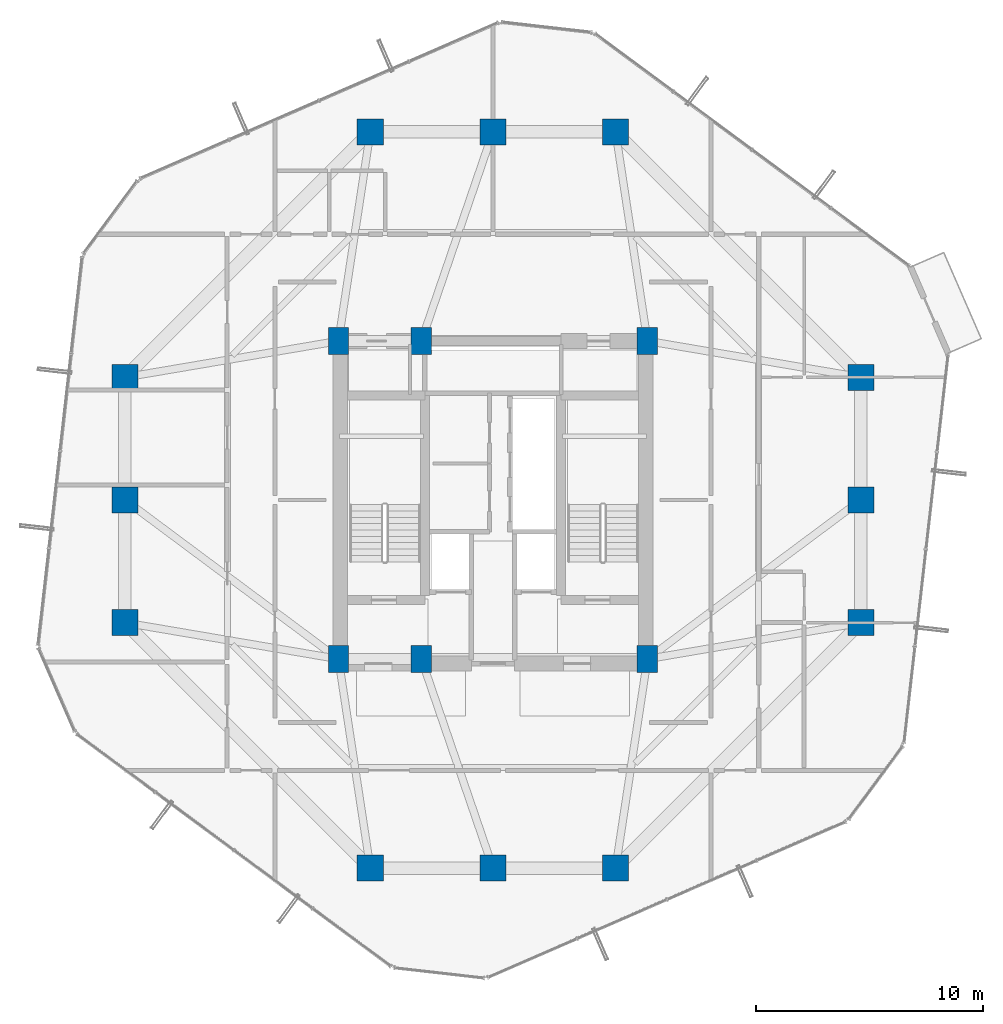
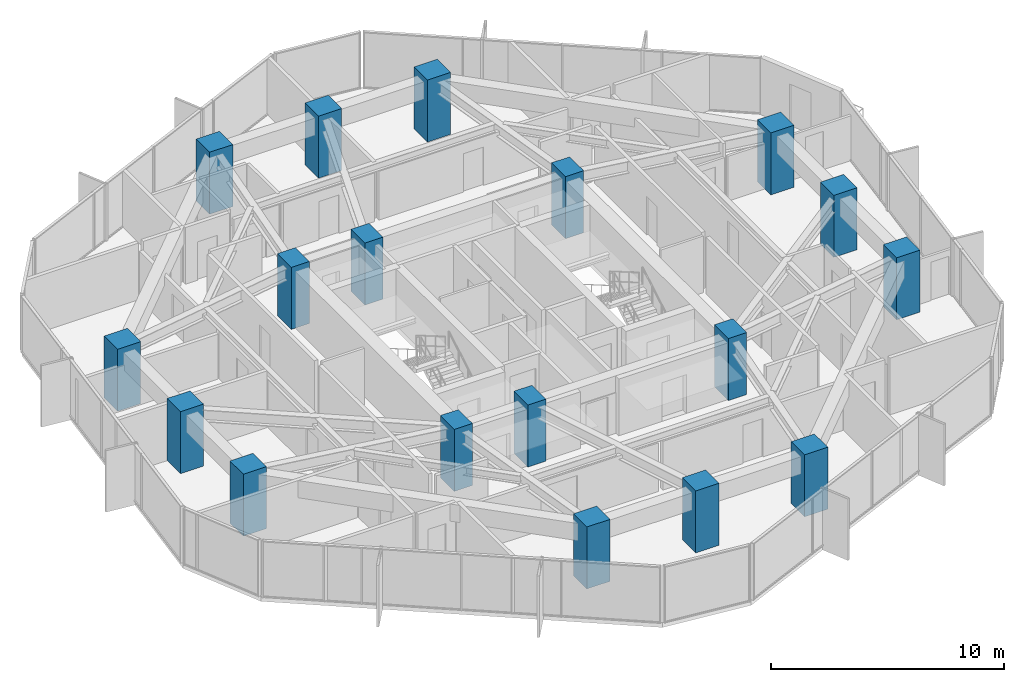
# One storey, part 1 of 29: 18 columns.
"""IFC4 building model written with IfcOpenShell, lengths in metres."""

import ifcopenshell
import ifcopenshell.guid

model = None  # the IFC model being written
_history = None  # IfcOwnerHistory: only IFC2X3 demands one
_inside = {}  # id of a spatial element -> (the spatial element, [elements in it])
_under = {}  # id of a project, library or spatial element -> (it, [spatial elements below it])
_declared = {}  # id of a project -> (the project, [libraries it declares])
_typed = {}  # id of a type object -> (the type object, [elements of that type])
_made_of = {}  # id of a material, layer set ... -> (it, [elements and type objects made of it])


def new_model(schema):
    """Start an empty IFC model of exactly this schema.

    Asked for "IFC4X3", IfcOpenShell would pick the latest addendum, in which some entities
    have other attributes; the version numbers below select the first issue.
    IFC2X3 requires an IfcOwnerHistory on every rooted entity: one is made here for all.
    """
    global model, _history
    if schema == "IFC4X3":
        model = ifcopenshell.file(schema_version=(4, 3, 0, 0))
    else:
        model = ifcopenshell.file(schema=schema)
    _inside.clear()
    _under.clear()
    _declared.clear()
    _typed.clear()
    _made_of.clear()
    _history = None
    if model.schema == "IFC2X3":
        org = make("IfcOrganization", Name="unknown")
        user = make(
            "IfcPersonAndOrganization",
            ThePerson=make("IfcPerson", FamilyName="unknown"),
            TheOrganization=org,
        )
        app = make(
            "IfcApplication",
            ApplicationDeveloper=org,
            Version="unknown",
            ApplicationFullName="unknown",
            ApplicationIdentifier="unknown",
        )
        _history = make(
            "IfcOwnerHistory",
            OwningUser=user,
            OwningApplication=app,
            ChangeAction="ADDED",
            CreationDate=0,
        )
    return model


def make(cls, **values):
    """One entity of the class cls with the attributes given. An attribute that is None is left unset."""
    return model.create_entity(
        cls, **{name: value for name, value in values.items() if value is not None}
    )


def rooted(cls, **values):
    """An entity with a GlobalId (a new one), such as an element, a storey or a relation."""
    return make(cls, GlobalId=ifcopenshell.guid.new(), OwnerHistory=_history, **values)


def si_unit(unit_type, name, prefix=None):
    """IfcSIUnit, for example si_unit("LENGTHUNIT", "METRE", prefix="MILLI")."""
    return make("IfcSIUnit", UnitType=unit_type, Prefix=prefix, Name=name)


def assignment(units):
    """IfcUnitAssignment: the units of a project."""
    return None if units is None else make("IfcUnitAssignment", Units=units)


def point(xyz):
    """IfcCartesianPoint."""
    return None if xyz is None else make("IfcCartesianPoint", Coordinates=xyz)


def direction(xyz):
    """IfcDirection."""
    return None if xyz is None else make("IfcDirection", DirectionRatios=xyz)


def frame(location, z_axis=None, x_axis=None):
    """IfcAxis2Placement3D, a coordinate frame: its origin and axes. An axis left out is left unset."""
    return make(
        "IfcAxis2Placement3D",
        Location=point(location),
        Axis=direction(z_axis),
        RefDirection=direction(x_axis),
    )


def frame_2d(location, x_axis=None):
    """IfcAxis2Placement2D, a coordinate frame in the plane: its origin and x axis."""
    return make(
        "IfcAxis2Placement2D", Location=point(location), RefDirection=direction(x_axis)
    )


def origin():
    """The frame at (0, 0, 0) with its axes left unset."""
    return frame((0.0, 0.0, 0.0))


def origin_2d():
    """The frame at (0, 0) in the plane with its x axis left unset."""
    return frame_2d((0.0, 0.0))


def place(relative_to, where):
    """IfcLocalPlacement: puts the frame where relative to a parent placement (None: the world)."""
    return make(
        "IfcLocalPlacement", PlacementRelTo=relative_to, RelativePlacement=where
    )


def context(
    kind, dimensions, precision=None, world=None, true_north=None, identifier=None
):
    """IfcGeometricRepresentationContext, for example the 3D "Model" context."""
    return make(
        "IfcGeometricRepresentationContext",
        ContextIdentifier=identifier,
        ContextType=kind,
        CoordinateSpaceDimension=dimensions,
        Precision=precision,
        WorldCoordinateSystem=world,
        TrueNorth=true_north,
    )


def subcontext(parent, identifier, kind, view, scale=None):
    """IfcGeometricRepresentationSubContext, for example "Body" below "Model"."""
    return make(
        "IfcGeometricRepresentationSubContext",
        ContextIdentifier=identifier,
        ContextType=kind,
        ParentContext=parent,
        TargetScale=scale,
        TargetView=view,
    )


def project(units=None, contexts=None):
    """IfcProject with its units and contexts."""
    return rooted(
        "IfcProject",
        Name="project",
        RepresentationContexts=contexts,
        UnitsInContext=assignment(units),
    )


def spatial(cls, under=None, at=None, **own):
    """A site, building, storey or space (cls), placed at a placement, below another one or the project."""
    s = rooted(cls, ObjectPlacement=at, **own)
    if under is not None:
        _under.setdefault(under.id(), (under, []))[1].append(s)
    return s


def profile(cls, at=None, kind="AREA", **sizes):
    """A parametric profile (cls). Its sizes go by their IFC names, for example OverallWidth=200.0."""
    return make(cls, ProfileType=kind, Position=at, **sizes)


def rectangle(**sizes):
    """IfcRectangleProfileDef."""
    return profile("IfcRectangleProfileDef", **sizes)


def extrude(swept, where, along, depth):
    """IfcExtrudedAreaSolid: the profile swept, set in the frame where, extruded along a direction by depth."""
    return make(
        "IfcExtrudedAreaSolid",
        SweptArea=swept,
        Position=where,
        ExtrudedDirection=direction(along),
        Depth=depth,
    )


def shape(context_of_items, identifier, shape_type, items):
    """IfcShapeRepresentation: the items that make up one representation, for example the "Body"."""
    return make(
        "IfcShapeRepresentation",
        ContextOfItems=context_of_items,
        RepresentationIdentifier=identifier,
        RepresentationType=shape_type,
        Items=items,
    )


def material(Name=None, Category=None):
    """IfcMaterial."""
    return make("IfcMaterial", Name=Name, Category=Category)


def material_profile(
    of_material, cross_section, Name=None, Category=None, Priority=None
):
    """IfcMaterialProfile: a cross section and its material."""
    return make(
        "IfcMaterialProfile",
        Name=Name,
        Material=of_material,
        Profile=cross_section,
        Priority=Priority,
        Category=Category,
    )


def profile_set(profiles, Name=None, composite=None):
    """IfcMaterialProfileSet."""
    return make(
        "IfcMaterialProfileSet",
        Name=Name,
        MaterialProfiles=profiles,
        CompositeProfile=composite,
    )


def made_of(thing, what):
    """Note that an element or type object is made of a material, layer set ...; save() writes the relation."""
    if what is not None:
        _made_of.setdefault(what.id(), (what, []))[1].append(thing)
    return thing


def type_object(cls, material=None, **own):
    """A type object (cls), such as IfcWallType, which elements share."""
    return made_of(rooted(cls, **own), material)


def element(
    cls,
    number,
    at=None,
    inside=None,
    cuts=None,
    type_object=None,
    material=None,
    context=None,
    identifier="Body",
    shape_type=None,
    held_by="IfcProductDefinitionShape",
    body=None,
    shapes=None,
    **own,
):
    """One element of the class cls, such as IfcWall. Its Tag is "e" and its number.

    at: its placement. inside: the storey or other place that contains it. cuts: it is an
    opening in that element (IfcRelVoidsElement). A single representation is given by context,
    identifier, shape_type and body (its items); several are given by shapes. held_by: the class
    of the entity that holds the representations. save() writes the other relations.
    """
    e = rooted(cls, Tag="e%d" % number, ObjectPlacement=at, **own)
    if body is not None:
        shapes = [shape(context, identifier, shape_type, body)]
    if shapes is not None:
        e.Representation = make(held_by, Representations=shapes)
    if inside is not None:
        _inside.setdefault(inside.id(), (inside, []))[1].append(e)
    if cuts is not None:
        rooted(
            "IfcRelVoidsElement", RelatingBuildingElement=cuts, RelatedOpeningElement=e
        )
    if type_object is not None:
        _typed.setdefault(type_object.id(), (type_object, []))[1].append(e)
    return made_of(e, material)


def aggregate(whole, parts):
    """IfcRelAggregates: a whole, such as a stair, and the parts it consists of."""
    return rooted("IfcRelAggregates", RelatingObject=whole, RelatedObjects=parts)


def save(model, path):
    """Write the relations noted so far, then the file.

    IfcRelAggregates (storeys below a building ...), IfcRelContainedInSpatialStructure (elements
    in a storey), IfcRelDefinesByType, IfcRelAssociatesMaterial and IfcRelDeclares: one each for
    every whole, place, type object, material and project.
    """
    for whole, parts in _under.values():
        aggregate(whole, parts)
    for where, things in _inside.values():
        rooted(
            "IfcRelContainedInSpatialStructure",
            RelatedElements=things,
            RelatingStructure=where,
        )
    for kind, things in _typed.values():
        rooted("IfcRelDefinesByType", RelatedObjects=things, RelatingType=kind)
    for what, things in _made_of.values():
        rooted("IfcRelAssociatesMaterial", RelatedObjects=things, RelatingMaterial=what)
    for by, libraries in _declared.values():
        rooted("IfcRelDeclares", RelatingContext=by, RelatedDefinitions=libraries)
    model.write(path)


model = new_model("IFC4")

# Units and contexts
model_context = context("Model", 3, precision=1e-05, world=origin(), true_north=direction((0.0, 1.0)))
body_context = subcontext(model_context, "Body", "Model", "MODEL_VIEW")
ifc_project = project(units=[si_unit("LENGTHUNIT", "METRE"), si_unit("AREAUNIT", "SQUARE_METRE"), si_unit("VOLUMEUNIT", "CUBIC_METRE"), si_unit("PLANEANGLEUNIT", "RADIAN"), si_unit("MASSUNIT", "GRAM", prefix="KILO")], contexts=[model_context])

# Site, building, storey
site_placement = place(None, origin())
site = spatial("IfcSite", under=ifc_project, at=site_placement, CompositionType="ELEMENT")
building_placement = place(site_placement, origin())
building = spatial("IfcBuilding", under=site, at=building_placement, Name="Veraguas Prism Commons", CompositionType="ELEMENT")
storey_placement = place(building_placement, frame((0.0, 0.0, 105.699951171875)))
storey = spatial("IfcBuildingStorey", under=building, at=storey_placement, Name="L29", CompositionType="ELEMENT", Elevation=105.699951171875)

# Columns
ifc_material = material(Name="Concrete C60/75", Category="concrete")
ifc_material_profile_1 = material_profile(ifc_material, rectangle(XDim=1.14990234375, YDim=1.14990234375, at=origin_2d()), Name="RC1150X1150")
ifc_profile_set_1 = profile_set([ifc_material_profile_1], Name="Concrete C60/75")
column_type_1 = type_object("IfcColumnType", Name="Column Tube Z2 RC 1150x1150", PredefinedType="COLUMN", material=ifc_profile_set_1)
for number, where, z_axis, x_axis, name in (
    (1, (40.199951171875, 18.60009765625, 0.0), (0.0, 0.0, 1.0), (1.0, 0.0, 0.0), "Tower Perimeter Column L29-TB01"),
    (2, (40.199951171875, 24.0, 0.0), (0.0, 0.0, 1.0), (1.0, 0.0, 0.0), "Tower Perimeter Column L29-TB02"),
    (3, (40.199951171875, 29.39990234375, 0.0), (0.0, 0.0, 1.0), (1.0, 0.0, 0.0), "Tower Perimeter Column L29-TB03"),
    (4, (29.39990234375, 40.199951171875, 0.0), (0.0, 0.0, 1.0), (1.0, 0.0, 0.0), "Tower Perimeter Column L29-TB04"),
    (5, (24.0, 40.199951171875, 0.0), (0.0, 0.0, 1.0), (1.0, 0.0, 0.0), "Tower Perimeter Column L29-TB05"),
    (6, (18.60009765625, 40.199951171875, 0.0), (0.0, 0.0, 1.0), (1.0, 0.0, 0.0), "Tower Perimeter Column L29-TB06"),
    (7, (7.800048828125, 29.39990234375, 0.0), (0.0, 0.0, 1.0), (1.0, 0.0, 0.0), "Tower Perimeter Column L29-TB07"),
    (8, (7.800048828125, 24.0, 0.0), (0.0, 0.0, 1.0), (1.0, 0.0, 0.0), "Tower Perimeter Column L29-TB08"),
    (9, (7.800048828125, 18.60009765625, 0.0), (0.0, 0.0, 1.0), (1.0, 0.0, 0.0), "Tower Perimeter Column L29-TB09"),
    (10, (18.60009765625, 7.800048828125, 0.0), (0.0, 0.0, 1.0), (1.0, 0.0, 0.0), "Tower Perimeter Column L29-TB10"),
    (11, (24.0, 7.800048828125, 0.0), (0.0, 0.0, 1.0), (1.0, 0.0, 0.0), "Tower Perimeter Column L29-TB11"),
    (12, (29.39990234375, 7.800048828125, 0.0), (0.0, 0.0, 1.0), (1.0, 0.0, 0.0), "Tower Perimeter Column L29-TB12"),
):
    element("IfcColumn", number, at=place(storey_placement, frame(where, z_axis=z_axis, x_axis=x_axis)), inside=storey, type_object=column_type_1, Name=name, PredefinedType="COLUMN", context=body_context, shape_type="SweptSolid", body=[
        extrude(rectangle(XDim=1.14990234375, YDim=1.14990234375, at=origin_2d()), origin(), (0.0, 0.0, 1.0), 3.25),
    ])
ifc_material_profile_2 = material_profile(ifc_material, rectangle(XDim=0.89990234375, YDim=1.199951171875, at=origin_2d()), Name="RC900X1200")
ifc_profile_set_2 = profile_set([ifc_material_profile_2], Name="Concrete C60/75")
column_type_2 = type_object("IfcColumnType", Name="Pilaster Core Lower RC 900x1200", PredefinedType="PILASTER", material=ifc_profile_set_2)
for number, where, z_axis, x_axis, name in (
    (13, (17.199951171875, 17.0, 0.0), (0.0, 0.0, 1.0), (1.0, 0.0, 0.0), "Core Pilaster Column L29-CR1"),
    (14, (20.85009765625, 17.0, 0.0), (0.0, 0.0, 1.0), (1.0, 0.0, 0.0), "Core Pilaster Column L29-CR2"),
    (15, (30.800048828125, 17.0, 0.0), (0.0, 0.0, 1.0), (1.0, 0.0, 0.0), "Core Pilaster Column L29-CR3"),
    (16, (17.199951171875, 31.0, 0.0), (0.0, 0.0, 1.0), (1.0, 0.0, 0.0), "Core Pilaster Column L29-CR4"),
    (17, (20.85009765625, 31.0, 0.0), (0.0, 0.0, 1.0), (1.0, 0.0, 0.0), "Core Pilaster Column L29-CR5"),
    (18, (30.800048828125, 31.0, 0.0), (0.0, 0.0, 1.0), (1.0, 0.0, 0.0), "Core Pilaster Column L29-CR6"),
):
    element("IfcColumn", number, at=place(storey_placement, frame(where, z_axis=z_axis, x_axis=x_axis)), inside=storey, type_object=column_type_2, Name=name, PredefinedType="PILASTER", context=body_context, shape_type="SweptSolid", body=[
        extrude(rectangle(XDim=0.89990234375, YDim=1.199951171875, at=origin_2d()), origin(), (0.0, 0.0, 1.0), 3.25),
    ])

save(model, "model.ifc")
